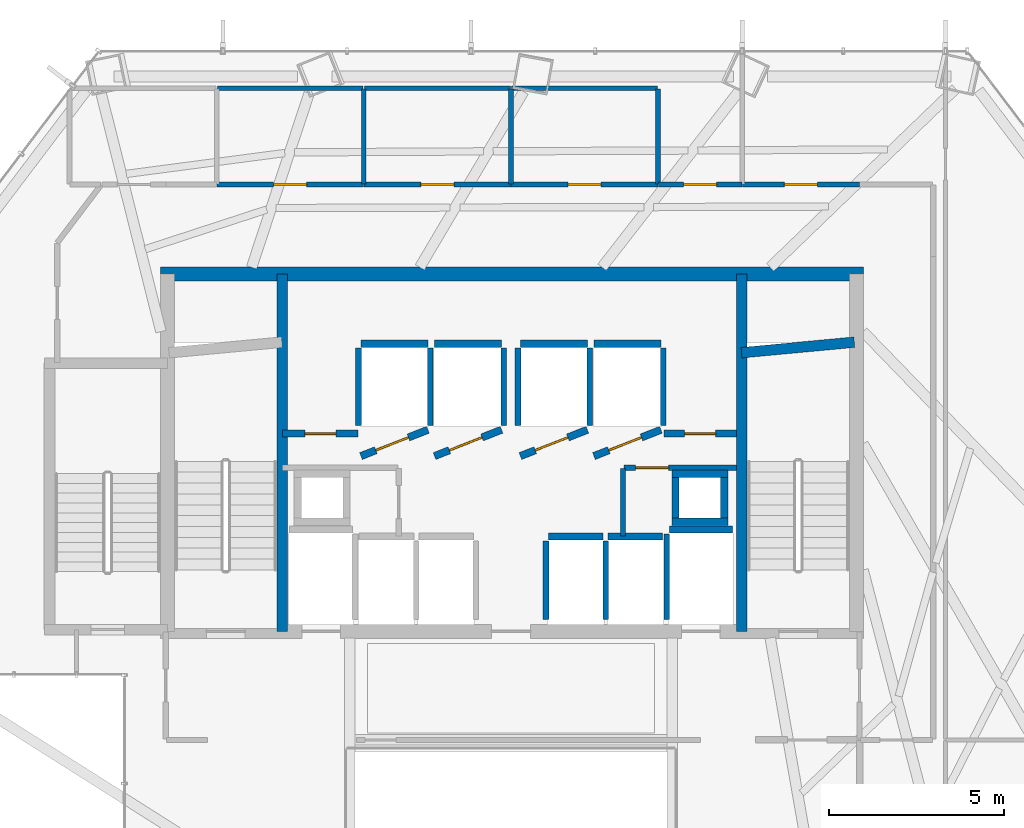
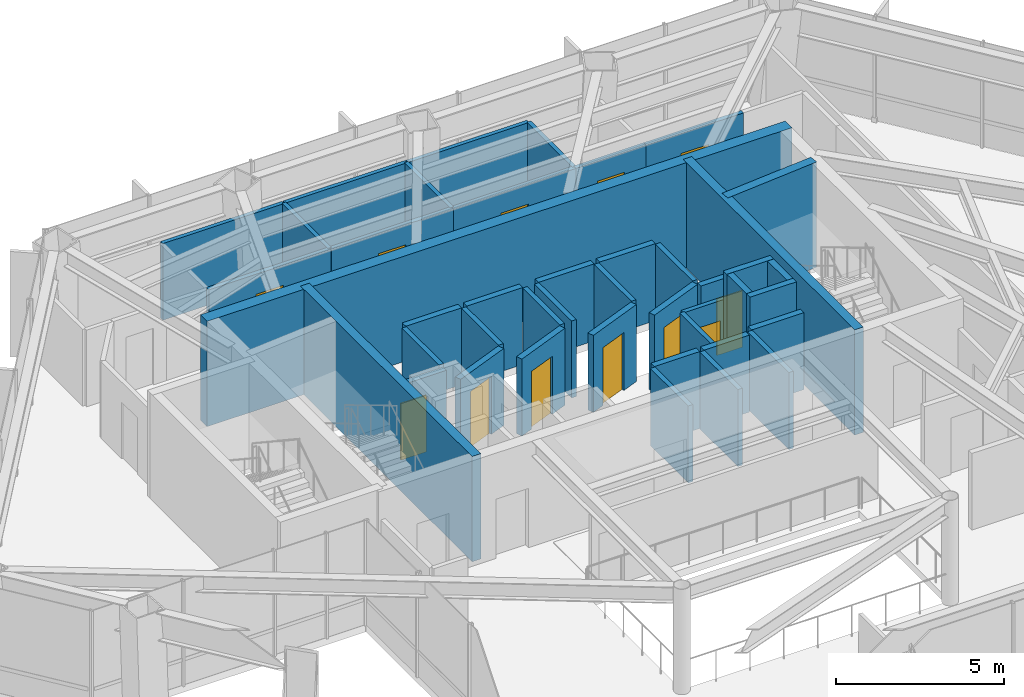
# One storey, part 22 of 24: 43 walls, 12 doors, 12 openings.
"""IFC4 building model written with IfcOpenShell, lengths in metres."""

from ifc_helpers import new_model, si_unit, direction, frame, frame_2d, origin, place, context, subcontext, project, spatial, rectangle, extrude, material, layer, layer_set, type_object, element, fill, save


model = new_model("IFC4")

# Units and contexts
model_context = context("Model", 3, precision=1e-05, world=origin(), true_north=direction((0.0, 1.0)))
body_context = subcontext(model_context, "Body", "Model", "MODEL_VIEW")
ifc_project = project(units=[si_unit("LENGTHUNIT", "METRE"), si_unit("AREAUNIT", "SQUARE_METRE"), si_unit("VOLUMEUNIT", "CUBIC_METRE"), si_unit("PLANEANGLEUNIT", "RADIAN"), si_unit("MASSUNIT", "GRAM", prefix="KILO")], contexts=[model_context])

# Site, building, storey
site_placement = place(None, origin())
site = spatial("IfcSite", under=ifc_project, at=site_placement, CompositionType="ELEMENT")
building_placement = place(site_placement, origin())
building = spatial("IfcBuilding", under=site, at=building_placement, Name="Zarrinselat Tower", CompositionType="ELEMENT")
storey_placement = place(building_placement, frame((0.0, 0.0, 68.340087890625)))
storey = spatial("IfcBuildingStorey", under=building, at=storey_placement, Name="L16", CompositionType="ELEMENT", Elevation=68.340087890625)

# Wall, opening, door
ifc_material_1 = material(Name="Fire-Rated Gypsum Board Partition", Category="gypsum")
ifc_layer_1 = layer(ifc_material_1, 0.14990234375)
ifc_layer_set_1 = layer_set([ifc_layer_1], Name="Fire-Rated Gypsum Board Partition")
wall_type_1 = type_object("IfcWallType", Name="WAL-PART-EI60", PredefinedType="PARTITIONING", material=ifc_layer_set_1)
wall_1_placement = place(storey_placement, frame((41.6201171875, 37.919921875, 0.0), z_axis=(0.0, 0.0, 1.0), x_axis=(1.0, 0.0, 0.0)))
wall_1 = element("IfcWall", 1, at=wall_1_placement, inside=storey, type_object=wall_type_1, Name="L16 Partition Wall 5", PredefinedType="PARTITIONING", context=body_context, shape_type="SweptSolid", body=[
    extrude(rectangle(XDim=3.21484375, YDim=0.14990234375, at=frame_2d((1.607421875, 0.0))), origin(), (0.0, 0.0, 1.0), 2.77685546875),
])
opening_1_placement = place(wall_1_placement, frame((0.33740234375, 0.0, 0.0)))
opening_1 = element("IfcOpeningElement", 2, at=opening_1_placement, cuts=wall_1, Name="Opening ID-04", PredefinedType="OPENING", context=body_context, shape_type="SweptSolid", body=[
    extrude(rectangle(XDim=0.93994140625, YDim=2.050048828125, at=frame_2d((0.469970703125, 1.02490234375))), frame((0.0, 0.0849609375, 0.0), z_axis=(0.0, -1.0, 0.0), x_axis=(1.0, 0.0, 0.0)), (0.0, 0.0, 1.0), 0.169921875),
])
ifc_material_2 = material(Name="Fire-Rated Gypsum Board Partition")
door_type_1 = type_object("IfcDoorType", Name="DR-INT-FD30-ENT", OperationType="NOTDEFINED", PredefinedType="DOOR", material=ifc_material_2)
door_1_placement = place(opening_1_placement, origin())
door_1 = element("IfcDoor", 3, at=door_1_placement, inside=storey, type_object=door_type_1, Name="L16 Interior Door P5", OperationType="SINGLE_SWING_RIGHT", OverallHeight=2.050048828125, OverallWidth=0.93994140625, PredefinedType="DOOR", context=body_context, shape_type="SweptSolid", body=[
    extrude(rectangle(XDim=0.93994140625, YDim=2.050048828125, at=frame_2d((0.469970703125, 1.02490234375))), frame((0.0, 0.02490234375, 0.0), z_axis=(0.0, -1.0, 0.0), x_axis=(1.0, 0.0, 0.0)), (0.0, 0.0, 1.0), 0.050048828125),
])
fill(opening_1, door_1)

# Wall
wall_2_placement = place(storey_placement, frame((41.60009765625, 35.969970703125, 0.0), z_axis=(0.0, 0.0, 1.0), x_axis=(0.0, 1.0, 0.0)))
element("IfcWall", 4, at=wall_2_placement, inside=storey, type_object=wall_type_1, Name="L16 Partition Wall 6", PredefinedType="PARTITIONING", context=body_context, shape_type="SweptSolid", body=[
    extrude(rectangle(XDim=1.929931640625, YDim=0.14990234375, at=frame_2d((0.96484375, 0.0))), origin(), (0.0, 0.0, 1.0), 2.77685546875),
])

# Wall, opening, door
wall_3_placement = place(storey_placement, frame((30.0048828125, 46.0, 0.0), z_axis=(0.0, 0.0, 1.0), x_axis=(1.0, 0.0, 0.0)))
wall_3 = element("IfcWall", 5, at=wall_3_placement, inside=storey, type_object=wall_type_1, Name="L16 Partition Wall 16", PredefinedType="PARTITIONING", context=body_context, shape_type="SweptSolid", body=[
    extrude(rectangle(XDim=4.190185546875, YDim=0.14990234375, at=frame_2d((2.09521484375, 0.0))), origin(), (0.0, 0.0, 1.0), 2.77685546875),
])
opening_2_placement = place(wall_3_placement, frame((1.625, 0.0, 0.0)))
opening_2 = element("IfcOpeningElement", 6, at=opening_2_placement, cuts=wall_3, Name="Opening ID-04", PredefinedType="OPENING", context=body_context, shape_type="SweptSolid", body=[
    extrude(rectangle(XDim=0.93994140625, YDim=2.050048828125, at=frame_2d((0.469970703125, 1.02490234375))), frame((0.0, 0.0849609375, 0.0), z_axis=(0.0, -1.0, 0.0), x_axis=(1.0, 0.0, 0.0)), (0.0, 0.0, 1.0), 0.169921875),
])
door_2_placement = place(opening_2_placement, origin())
door_2 = element("IfcDoor", 7, at=door_2_placement, inside=storey, type_object=door_type_1, Name="L16 Interior Door P16", OperationType="SINGLE_SWING_RIGHT", OverallHeight=2.050048828125, OverallWidth=0.93994140625, PredefinedType="DOOR", context=body_context, shape_type="SweptSolid", body=[
    extrude(rectangle(XDim=0.93994140625, YDim=2.050048828125, at=frame_2d((0.469970703125, 1.02490234375))), frame((0.0, 0.02490234375, 0.0), z_axis=(0.0, -1.0, 0.0), x_axis=(1.0, 0.0, 0.0)), (0.0, 0.0, 1.0), 0.050048828125),
])
fill(opening_2, door_2)

wall_4_placement = place(storey_placement, frame((34.205078125, 46.0, 0.0), z_axis=(0.0, 0.0, 1.0), x_axis=(1.0, 0.0, 0.0)))
wall_4 = element("IfcWall", 8, at=wall_4_placement, inside=storey, type_object=wall_type_1, Name="L16 Partition Wall 17", PredefinedType="PARTITIONING", context=body_context, shape_type="SweptSolid", body=[
    extrude(rectangle(XDim=4.18994140625, YDim=0.14990234375, at=frame_2d((2.094970703125, 0.0))), origin(), (0.0, 0.0, 1.0), 2.77685546875),
])
opening_3_placement = place(wall_4_placement, frame((1.625, 0.0, 0.0)))
opening_3 = element("IfcOpeningElement", 9, at=opening_3_placement, cuts=wall_4, Name="Opening ID-04", PredefinedType="OPENING", context=body_context, shape_type="SweptSolid", body=[
    extrude(rectangle(XDim=0.93994140625, YDim=2.050048828125, at=frame_2d((0.469970703125, 1.02490234375))), frame((0.0, 0.0849609375, 0.0), z_axis=(0.0, -1.0, 0.0), x_axis=(1.0, 0.0, 0.0)), (0.0, 0.0, 1.0), 0.169921875),
])
door_3_placement = place(opening_3_placement, origin())
door_3 = element("IfcDoor", 10, at=door_3_placement, inside=storey, type_object=door_type_1, Name="L16 Interior Door P17", OperationType="SINGLE_SWING_LEFT", OverallHeight=2.050048828125, OverallWidth=0.93994140625, PredefinedType="DOOR", context=body_context, shape_type="SweptSolid", body=[
    extrude(rectangle(XDim=0.93994140625, YDim=2.050048828125, at=frame_2d((0.469970703125, 1.02490234375))), frame((0.0, 0.02490234375, 0.0), z_axis=(0.0, -1.0, 0.0), x_axis=(1.0, 0.0, 0.0)), (0.0, 0.0, 1.0), 0.050048828125),
])
fill(opening_3, door_3)

wall_5_placement = place(storey_placement, frame((38.405029296875, 46.0, 0.0), z_axis=(0.0, 0.0, 1.0), x_axis=(1.0, 0.0, 0.0)))
wall_5 = element("IfcWall", 11, at=wall_5_placement, inside=storey, type_object=wall_type_1, Name="L16 Partition Wall 18", PredefinedType="PARTITIONING", context=body_context, shape_type="SweptSolid", body=[
    extrude(rectangle(XDim=4.18994140625, YDim=0.14990234375, at=frame_2d((2.094970703125, 0.0))), origin(), (0.0, 0.0, 1.0), 2.77685546875),
])
opening_4_placement = place(wall_5_placement, frame((1.625, 0.0, 0.0)))
opening_4 = element("IfcOpeningElement", 12, at=opening_4_placement, cuts=wall_5, Name="Opening ID-04", PredefinedType="OPENING", context=body_context, shape_type="SweptSolid", body=[
    extrude(rectangle(XDim=0.93994140625, YDim=2.050048828125, at=frame_2d((0.469970703125, 1.02490234375))), frame((0.0, 0.0849609375, 0.0), z_axis=(0.0, -1.0, 0.0), x_axis=(1.0, 0.0, 0.0)), (0.0, 0.0, 1.0), 0.169921875),
])
door_4_placement = place(opening_4_placement, origin())
door_4 = element("IfcDoor", 13, at=door_4_placement, inside=storey, type_object=door_type_1, Name="L16 Interior Door P18", OperationType="SINGLE_SWING_RIGHT", OverallHeight=2.050048828125, OverallWidth=0.93994140625, PredefinedType="DOOR", context=body_context, shape_type="SweptSolid", body=[
    extrude(rectangle(XDim=0.93994140625, YDim=2.050048828125, at=frame_2d((0.469970703125, 1.02490234375))), frame((0.0, 0.02490234375, 0.0), z_axis=(0.0, -1.0, 0.0), x_axis=(1.0, 0.0, 0.0)), (0.0, 0.0, 1.0), 0.050048828125),
])
fill(opening_4, door_4)

wall_6_placement = place(storey_placement, frame((45.0048828125, 46.0, 0.0), z_axis=(0.0, 0.0, 1.0), x_axis=(1.0, 0.0, 0.0)))
wall_6 = element("IfcWall", 14, at=wall_6_placement, inside=storey, type_object=wall_type_1, Name="L16 Partition Wall 22", PredefinedType="PARTITIONING", context=body_context, shape_type="SweptSolid", body=[
    extrude(rectangle(XDim=3.34521484375, YDim=0.14990234375, at=frame_2d((1.672607421875, 0.0))), origin(), (0.0, 0.0, 1.0), 2.77685546875),
])
opening_5_placement = place(wall_6_placement, frame((1.202392578125, 0.0, 0.0)))
opening_5 = element("IfcOpeningElement", 15, at=opening_5_placement, cuts=wall_6, Name="Opening ID-04", PredefinedType="OPENING", context=body_context, shape_type="SweptSolid", body=[
    extrude(rectangle(XDim=0.93994140625, YDim=2.050048828125, at=frame_2d((0.469970703125, 1.02490234375))), frame((0.0, 0.0849609375, 0.0), z_axis=(0.0, -1.0, 0.0), x_axis=(1.0, 0.0, 0.0)), (0.0, 0.0, 1.0), 0.169921875),
])
door_5_placement = place(opening_5_placement, origin())
door_5 = element("IfcDoor", 16, at=door_5_placement, inside=storey, type_object=door_type_1, Name="L16 Interior Door P22", OperationType="SINGLE_SWING_LEFT", OverallHeight=2.050048828125, OverallWidth=0.93994140625, PredefinedType="DOOR", context=body_context, shape_type="SweptSolid", body=[
    extrude(rectangle(XDim=0.93994140625, YDim=2.050048828125, at=frame_2d((0.469970703125, 1.02490234375))), frame((0.0, 0.02490234375, 0.0), z_axis=(0.0, -1.0, 0.0), x_axis=(1.0, 0.0, 0.0)), (0.0, 0.0, 1.0), 0.050048828125),
])
fill(opening_5, door_5)

wall_7_placement = place(storey_placement, frame((42.60498046875, 46.0, 0.0), z_axis=(0.0, 0.0, 1.0), x_axis=(1.0, 0.0, 0.0)))
wall_7 = element("IfcWall", 17, at=wall_7_placement, inside=storey, type_object=wall_type_1, Name="L16 Partition Wall 26", PredefinedType="PARTITIONING", context=body_context, shape_type="SweptSolid", body=[
    extrude(rectangle(XDim=2.39013671875, YDim=0.14990234375, at=frame_2d((1.195068359375, 0.0))), origin(), (0.0, 0.0, 1.0), 2.77685546875),
])
opening_6_placement = place(wall_7_placement, frame((0.72509765625, 0.0, 0.0)))
opening_6 = element("IfcOpeningElement", 18, at=opening_6_placement, cuts=wall_7, Name="Opening ID-04", PredefinedType="OPENING", context=body_context, shape_type="SweptSolid", body=[
    extrude(rectangle(XDim=0.93994140625, YDim=2.050048828125, at=frame_2d((0.469970703125, 1.02490234375))), frame((0.0, 0.0849609375, 0.0), z_axis=(0.0, -1.0, 0.0), x_axis=(1.0, 0.0, 0.0)), (0.0, 0.0, 1.0), 0.169921875),
])
door_6_placement = place(opening_6_placement, origin())
door_6 = element("IfcDoor", 19, at=door_6_placement, inside=storey, type_object=door_type_1, Name="L16 Interior Door P26", OperationType="SINGLE_SWING_RIGHT", OverallHeight=2.050048828125, OverallWidth=0.93994140625, PredefinedType="DOOR", context=body_context, shape_type="SweptSolid", body=[
    extrude(rectangle(XDim=0.93994140625, YDim=2.050048828125, at=frame_2d((0.469970703125, 1.02490234375))), frame((0.0, 0.02490234375, 0.0), z_axis=(0.0, -1.0, 0.0), x_axis=(1.0, 0.0, 0.0)), (0.0, 0.0, 1.0), 0.050048828125),
])
fill(opening_6, door_6)

ifc_material_3 = material(Name="Concrete C40/50", Category="concrete")
ifc_layer_2 = layer(ifc_material_3, 0.199951171875)
ifc_layer_set_2 = layer_set([ifc_layer_2], Name="Concrete C40/50")
wall_type_2 = type_object("IfcWallType", Name="WAL-PART-PLANT", PredefinedType="PARTITIONING", material=ifc_layer_set_2)
wall_8_placement = place(storey_placement, frame((31.885009765625, 38.889892578125, 0.0), z_axis=(0.0, 0.0, 1.0), x_axis=(1.0, 0.0, 0.0)))
wall_8 = element("IfcWall", 20, at=wall_8_placement, inside=storey, type_object=wall_type_2, Name="L16 Partition Wall 3", PredefinedType="PARTITIONING", context=body_context, shape_type="SweptSolid", body=[
    extrude(rectangle(XDim=2.14990234375, YDim=0.199951171875, at=frame_2d((1.074951171875, 0.0))), origin(), (0.0, 0.0, 1.0), 2.77685546875),
])
opening_7_placement = place(wall_8_placement, frame((0.635009765625, 0.0, 0.0)))
opening_7 = element("IfcOpeningElement", 21, at=opening_7_placement, cuts=wall_8, Name="Opening ID-03", PredefinedType="OPENING", context=body_context, shape_type="SweptSolid", body=[
    extrude(rectangle(XDim=0.8798828125, YDim=2.050048828125, at=frame_2d((0.43994140625, 1.02490234375))), frame((0.0, 0.10986328125, 0.0), z_axis=(0.0, -1.0, 0.0), x_axis=(1.0, 0.0, 0.0)), (0.0, 0.0, 1.0), 0.219970703125),
])
ifc_material_4 = material(Name="Steel S355J2", Category="steel")
door_type_2 = type_object("IfcDoorType", Name="DR-INT-FD60-S", OperationType="NOTDEFINED", PredefinedType="DOOR", material=ifc_material_4)
door_7_placement = place(opening_7_placement, origin())
door_7 = element("IfcDoor", 22, at=door_7_placement, inside=storey, type_object=door_type_2, Name="L16 Interior Door P3", OperationType="SINGLE_SWING_RIGHT", OverallHeight=2.050048828125, OverallWidth=0.8798828125, PredefinedType="DOOR", context=body_context, shape_type="SweptSolid", body=[
    extrude(rectangle(XDim=0.8798828125, YDim=2.050048828125, at=frame_2d((0.43994140625, 1.02490234375))), frame((0.0, 0.02490234375, 0.0), z_axis=(0.0, -1.0, 0.0), x_axis=(1.0, 0.0, 0.0)), (0.0, 0.0, 1.0), 0.050048828125),
])
fill(opening_7, door_7)

wall_9_placement = place(storey_placement, frame((42.764892578125, 38.889892578125, 0.0), z_axis=(0.0, 0.0, 1.0), x_axis=(1.0, 0.0, 0.0)))
wall_9 = element("IfcWall", 23, at=wall_9_placement, inside=storey, type_object=wall_type_2, Name="L16 Partition Wall 4", PredefinedType="PARTITIONING", context=body_context, shape_type="SweptSolid", body=[
    extrude(rectangle(XDim=2.070068359375, YDim=0.199951171875, at=frame_2d((1.03515625, 0.0))), origin(), (0.0, 0.0, 1.0), 2.77685546875),
])
opening_8_placement = place(wall_9_placement, frame((0.594970703125, 0.0, 0.0)))
opening_8 = element("IfcOpeningElement", 24, at=opening_8_placement, cuts=wall_9, Name="Opening ID-03", PredefinedType="OPENING", context=body_context, shape_type="SweptSolid", body=[
    extrude(rectangle(XDim=0.8798828125, YDim=2.050048828125, at=frame_2d((0.43994140625, 1.02490234375))), frame((0.0, 0.10986328125, 0.0), z_axis=(0.0, -1.0, 0.0), x_axis=(1.0, 0.0, 0.0)), (0.0, 0.0, 1.0), 0.219970703125),
])
door_8_placement = place(opening_8_placement, origin())
door_8 = element("IfcDoor", 25, at=door_8_placement, inside=storey, type_object=door_type_2, Name="L16 Interior Door P4", OperationType="SINGLE_SWING_LEFT", OverallHeight=2.050048828125, OverallWidth=0.8798828125, PredefinedType="DOOR", context=body_context, shape_type="SweptSolid", body=[
    extrude(rectangle(XDim=0.8798828125, YDim=2.050048828125, at=frame_2d((0.43994140625, 1.02490234375))), frame((0.0, 0.02490234375, 0.0), z_axis=(0.0, -1.0, 0.0), x_axis=(1.0, 0.0, 0.0)), (0.0, 0.0, 1.0), 0.050048828125),
])
fill(opening_8, door_8)

# Walls
ifc_material_5 = material(Name="Fire-Rated Gypsum Board Partition", Category="gypsum")
ifc_layer_3 = layer(ifc_material_5, 0.135009765625)
ifc_layer_set_3 = layer_set([ifc_layer_3], Name="Fire-Rated Gypsum Board Partition")
wall_type_3 = type_object("IfcWallType", Name="WAL-PART-WET", PredefinedType="PARTITIONING", material=ifc_layer_set_3)
wall_10_placement = place(storey_placement, frame((34.199951171875, 46.02001953125, 0.0), z_axis=(0.0, 0.0, 1.0), x_axis=(0.0, 1.0, 0.0)))
element("IfcWall", 26, at=wall_10_placement, inside=storey, type_object=wall_type_3, Name="L16 Partition Wall 31", PredefinedType="PARTITIONING", context=body_context, shape_type="SweptSolid", body=[
    extrude(rectangle(XDim=2.7099609375, YDim=0.135009765625, at=frame_2d((1.35498046875, 0.0))), origin(), (0.0, 0.0, 1.0), 2.77685546875),
])
wall_11_placement = place(storey_placement, frame((30.02001953125, 48.75, 0.0), z_axis=(0.0, 0.0, 1.0), x_axis=(1.0, 0.0, 0.0)))
element("IfcWall", 27, at=wall_11_placement, inside=storey, type_object=wall_type_3, Name="L16 Partition Wall 32", PredefinedType="PARTITIONING", context=body_context, shape_type="SweptSolid", body=[
    extrude(rectangle(XDim=4.159912109375, YDim=0.135009765625, at=frame_2d((2.080078125, 0.0))), origin(), (0.0, 0.0, 1.0), 2.77685546875),
])
wall_12_placement = place(storey_placement, frame((38.39990234375, 46.02001953125, 0.0), z_axis=(0.0, 0.0, 1.0), x_axis=(0.0, 1.0, 0.0)))
element("IfcWall", 28, at=wall_12_placement, inside=storey, type_object=wall_type_3, Name="L16 Partition Wall 33", PredefinedType="PARTITIONING", context=body_context, shape_type="SweptSolid", body=[
    extrude(rectangle(XDim=2.7099609375, YDim=0.135009765625, at=frame_2d((1.35498046875, 0.0))), origin(), (0.0, 0.0, 1.0), 2.77685546875),
])
wall_13_placement = place(storey_placement, frame((34.219970703125, 48.75, 0.0), z_axis=(0.0, 0.0, 1.0), x_axis=(1.0, 0.0, 0.0)))
element("IfcWall", 29, at=wall_13_placement, inside=storey, type_object=wall_type_3, Name="L16 Partition Wall 34", PredefinedType="PARTITIONING", context=body_context, shape_type="SweptSolid", body=[
    extrude(rectangle(XDim=4.159912109375, YDim=0.135009765625, at=frame_2d((2.080078125, 0.0))), origin(), (0.0, 0.0, 1.0), 2.77685546875),
])
wall_14_placement = place(storey_placement, frame((38.419921875, 48.75, 0.0), z_axis=(0.0, 0.0, 1.0), x_axis=(1.0, 0.0, 0.0)))
element("IfcWall", 30, at=wall_14_placement, inside=storey, type_object=wall_type_3, Name="L16 Partition Wall 35", PredefinedType="PARTITIONING", context=body_context, shape_type="SweptSolid", body=[
    extrude(rectangle(XDim=4.16015625, YDim=0.135009765625, at=frame_2d((2.080078125, 0.0))), origin(), (0.0, 0.0, 1.0), 2.77685546875),
])
wall_15_placement = place(storey_placement, frame((42.60009765625, 46.02001953125, 0.0), z_axis=(0.0, 0.0, 1.0), x_axis=(0.0, 1.0, 0.0)))
element("IfcWall", 31, at=wall_15_placement, inside=storey, type_object=wall_type_3, Name="L16 Partition Wall 36", PredefinedType="PARTITIONING", context=body_context, shape_type="SweptSolid", body=[
    extrude(rectangle(XDim=2.7099609375, YDim=0.135009765625, at=frame_2d((1.35498046875, 0.0))), origin(), (0.0, 0.0, 1.0), 2.77685546875),
])
ifc_material_6 = material(Name="Concrete C40/50", Category="concrete")
ifc_layer_4 = layer(ifc_material_6, 0.2099609375)
ifc_layer_set_4 = layer_set([ifc_layer_4], Name="Concrete C40/50")
wall_type_4 = type_object("IfcWallType", Name="WAL-SHAFT-210", PredefinedType="SOLIDWALL", material=ifc_layer_set_4)
wall_16_placement = place(storey_placement, frame((42.919921875, 36.155029296875, 0.0), z_axis=(0.0, 0.0, 1.0), x_axis=(1.0, 0.0, 0.0)))
element("IfcWall", 32, at=wall_16_placement, inside=storey, type_object=wall_type_4, Name="L16 Lift FFL2 North Shaft Wall", PredefinedType="SOLIDWALL", context=body_context, shape_type="SweptSolid", body=[
    extrude(rectangle(XDim=1.800048828125, YDim=0.2099609375, at=frame_2d((0.89990234375, 0.0))), origin(), (0.0, 0.0, 1.0), 2.7919921875),
])
wall_17_placement = place(storey_placement, frame((42.85009765625, 33.580078125, 0.0), z_axis=(0.0, 0.0, 1.0), x_axis=(0.0, 1.0, 0.0)))
element("IfcWall", 33, at=wall_17_placement, inside=storey, type_object=wall_type_4, Name="L16 Lift FFL2 W Shaft Wall", PredefinedType="SOLIDWALL", context=body_context, shape_type="SweptSolid", body=[
    extrude(rectangle(XDim=2.449951171875, YDim=0.159912109375, at=frame_2d((1.22509765625, 0.0))), origin(), (0.0, 0.0, 1.0), 2.7919921875),
])

# Wall, opening, door
wall_18_placement = place(storey_placement, frame((34.1201171875, 38.25, 0.0), z_axis=(0.0, 0.0, 1.0), x_axis=(0.930804993012, 0.36551616241, 0.0)))
wall_18 = element("IfcWall", 34, at=wall_18_placement, inside=storey, type_object=wall_type_4, Name="L16 Lift PL1 Front Shaft Wall", PredefinedType="SOLIDWALL", context=body_context, shape_type="SweptSolid", body=[
    extrude(rectangle(XDim=2.052001953125, YDim=0.2099609375, at=frame_2d((1.02587890625, 0.0))), origin(), (0.0, 0.0, 1.0), 2.7919921875),
])
opening_9_placement = place(wall_18_placement, frame((0.455078125, 0.0, 0.0)))
opening_9 = element("IfcOpeningElement", 35, at=opening_9_placement, cuts=wall_18, Name="Opening LD-PL1", PredefinedType="OPENING", context=body_context, shape_type="SweptSolid", body=[
    extrude(rectangle(XDim=1.0, YDim=2.10009765625, at=frame_2d((0.5, 1.050048828125))), frame((0.0, 0.114990234375, 0.0), z_axis=(0.0, -1.0, 0.0), x_axis=(1.0, 0.0, 0.0)), (0.0, 0.0, 1.0), 0.22998046875),
])
ifc_material_7 = material(Name="Steel S355J2", Category="steel")
door_type_3 = type_object("IfcDoorType", Name="DR-LIFT-PS-1000", OperationType="NOTDEFINED", PredefinedType="DOOR", material=ifc_material_7)
door_9_placement = place(opening_9_placement, origin())
door_9 = element("IfcDoor", 36, at=door_9_placement, inside=storey, type_object=door_type_3, Name="L16 Lift PL1 Sliding Landing Door", OperationType="SLIDING_TO_LEFT", OverallHeight=2.10009765625, OverallWidth=1.0, PredefinedType="DOOR", context=body_context, shape_type="SweptSolid", body=[
    extrude(rectangle(XDim=1.0, YDim=2.10009765625, at=frame_2d((0.5, 1.050048828125))), frame((0.0, 0.02490234375, 0.0), z_axis=(0.0, -1.0, 0.0), x_axis=(1.0, 0.0, 0.0)), (0.0, 0.0, 1.0), 0.050048828125),
])
fill(opening_9, door_9)

# Walls
wall_19_placement = place(storey_placement, frame((34.1201171875, 41.455078125, 0.0), z_axis=(0.0, 0.0, 1.0), x_axis=(1.0, 0.0, 0.0)))
element("IfcWall", 37, at=wall_19_placement, inside=storey, type_object=wall_type_4, Name="L16 Lift PL1 Rear Shaft Wall", PredefinedType="SOLIDWALL", context=body_context, shape_type="SweptSolid", body=[
    extrude(rectangle(XDim=1.909912109375, YDim=0.2099609375, at=frame_2d((0.955078125, 0.0))), origin(), (0.0, 0.0, 1.0), 2.7919921875),
])
for number, where, z_axis, x_axis, name in (
    (38, (34.050048828125, 39.1201171875, 0.0), (0.0, 0.0, 1.0), (0.0, 1.0, 0.0), "L16 Lift PL1 W Shaft Wall"),
    (39, (36.10009765625, 39.1201171875, 0.0), (0.0, 0.0, 1.0), (0.0, 1.0, 0.0), "L16 Lift PL1 E Shaft Wall"),
):
    element("IfcWall", number, at=place(storey_placement, frame(where, z_axis=z_axis, x_axis=x_axis)), inside=storey, type_object=wall_type_4, Name=name, PredefinedType="SOLIDWALL", context=body_context, shape_type="SweptSolid", body=[
        extrude(rectangle(XDim=2.2099609375, YDim=0.159912109375, at=frame_2d((1.10498046875, 0.0))), origin(), (0.0, 0.0, 1.0), 2.7919921875),
    ])

# Wall, opening, door
wall_20_placement = place(storey_placement, frame((36.219970703125, 38.25, 0.0), z_axis=(0.0, 0.0, 1.0), x_axis=(0.930804993012, 0.36551616241, 0.0)))
wall_20 = element("IfcWall", 40, at=wall_20_placement, inside=storey, type_object=wall_type_4, Name="L16 Lift PL2 Front Shaft Wall", PredefinedType="SOLIDWALL", context=body_context, shape_type="SweptSolid", body=[
    extrude(rectangle(XDim=2.052001953125, YDim=0.2099609375, at=frame_2d((1.02587890625, 0.0))), origin(), (0.0, 0.0, 1.0), 2.7919921875),
])
opening_10_placement = place(wall_20_placement, frame((0.455078125, 0.0, 0.0)))
opening_10 = element("IfcOpeningElement", 41, at=opening_10_placement, cuts=wall_20, Name="Opening LD-PL2", PredefinedType="OPENING", context=body_context, shape_type="SweptSolid", body=[
    extrude(rectangle(XDim=1.0, YDim=2.10009765625, at=frame_2d((0.5, 1.050048828125))), frame((0.0, 0.114990234375, 0.0), z_axis=(0.0, -1.0, 0.0), x_axis=(1.0, 0.0, 0.0)), (0.0, 0.0, 1.0), 0.22998046875),
])
door_10_placement = place(opening_10_placement, origin())
door_10 = element("IfcDoor", 42, at=door_10_placement, inside=storey, type_object=door_type_3, Name="L16 Lift PL2 Sliding Landing Door", OperationType="SLIDING_TO_RIGHT", OverallHeight=2.10009765625, OverallWidth=1.0, PredefinedType="DOOR", context=body_context, shape_type="SweptSolid", body=[
    extrude(rectangle(XDim=1.0, YDim=2.10009765625, at=frame_2d((0.5, 1.050048828125))), frame((0.0, 0.02490234375, 0.0), z_axis=(0.0, -1.0, 0.0), x_axis=(1.0, 0.0, 0.0)), (0.0, 0.0, 1.0), 0.050048828125),
])
fill(opening_10, door_10)

# Walls
wall_21_placement = place(storey_placement, frame((36.219970703125, 41.455078125, 0.0), z_axis=(0.0, 0.0, 1.0), x_axis=(1.0, 0.0, 0.0)))
element("IfcWall", 43, at=wall_21_placement, inside=storey, type_object=wall_type_4, Name="L16 Lift PL2 Rear Shaft Wall", PredefinedType="SOLIDWALL", context=body_context, shape_type="SweptSolid", body=[
    extrude(rectangle(XDim=1.909912109375, YDim=0.2099609375, at=frame_2d((0.955078125, 0.0))), origin(), (0.0, 0.0, 1.0), 2.7919921875),
])
wall_22_placement = place(storey_placement, frame((38.199951171875, 39.1201171875, 0.0), z_axis=(0.0, 0.0, 1.0), x_axis=(0.0, 1.0, 0.0)))
element("IfcWall", 44, at=wall_22_placement, inside=storey, type_object=wall_type_4, Name="L16 Lift PL2 E Shaft Wall", PredefinedType="SOLIDWALL", context=body_context, shape_type="SweptSolid", body=[
    extrude(rectangle(XDim=2.2099609375, YDim=0.159912109375, at=frame_2d((1.10498046875, 0.0))), origin(), (0.0, 0.0, 1.0), 2.7919921875),
])

# Wall, opening, door
wall_23_placement = place(storey_placement, frame((38.669921875, 38.25, 0.0), z_axis=(0.0, 0.0, 1.0), x_axis=(0.930820886763, 0.3654756856, 0.0)))
wall_23 = element("IfcWall", 45, at=wall_23_placement, inside=storey, type_object=wall_type_4, Name="L16 Lift PL3 Front Shaft Wall", PredefinedType="SOLIDWALL", context=body_context, shape_type="SweptSolid", body=[
    extrude(rectangle(XDim=2.052001953125, YDim=0.2099609375, at=frame_2d((1.02587890625, 0.0))), origin(), (0.0, 0.0, 1.0), 2.7919921875),
])
opening_11_placement = place(wall_23_placement, frame((0.455078125, 0.0, 0.0)))
opening_11 = element("IfcOpeningElement", 46, at=opening_11_placement, cuts=wall_23, Name="Opening LD-PL3", PredefinedType="OPENING", context=body_context, shape_type="SweptSolid", body=[
    extrude(rectangle(XDim=1.0, YDim=2.10009765625, at=frame_2d((0.5, 1.050048828125))), frame((0.0, 0.114990234375, 0.0), z_axis=(0.0, -1.0, 0.0), x_axis=(1.0, 0.0, 0.0)), (0.0, 0.0, 1.0), 0.22998046875),
])
door_11_placement = place(opening_11_placement, origin())
door_11 = element("IfcDoor", 47, at=door_11_placement, inside=storey, type_object=door_type_3, Name="L16 Lift PL3 Sliding Landing Door", OperationType="SLIDING_TO_LEFT", OverallHeight=2.10009765625, OverallWidth=1.0, PredefinedType="DOOR", context=body_context, shape_type="SweptSolid", body=[
    extrude(rectangle(XDim=1.0, YDim=2.10009765625, at=frame_2d((0.5, 1.050048828125))), frame((0.0, 0.02490234375, 0.0), z_axis=(0.0, -1.0, 0.0), x_axis=(1.0, 0.0, 0.0)), (0.0, 0.0, 1.0), 0.050048828125),
])
fill(opening_11, door_11)

# Walls
wall_24_placement = place(storey_placement, frame((38.669921875, 41.455078125, 0.0), z_axis=(0.0, 0.0, 1.0), x_axis=(1.0, 0.0, 0.0)))
element("IfcWall", 48, at=wall_24_placement, inside=storey, type_object=wall_type_4, Name="L16 Lift PL3 Rear Shaft Wall", PredefinedType="SOLIDWALL", context=body_context, shape_type="SweptSolid", body=[
    extrude(rectangle(XDim=1.91015625, YDim=0.2099609375, at=frame_2d((0.955078125, 0.0))), origin(), (0.0, 0.0, 1.0), 2.7919921875),
])
for number, where, z_axis, x_axis, name in (
    (49, (38.60009765625, 39.1201171875, 0.0), (0.0, 0.0, 1.0), (0.0, 1.0, 0.0), "L16 Lift PL3 W Shaft Wall"),
    (50, (40.64990234375, 39.1201171875, 0.0), (0.0, 0.0, 1.0), (0.0, 1.0, 0.0), "L16 Lift PL3 E Shaft Wall"),
):
    element("IfcWall", number, at=place(storey_placement, frame(where, z_axis=z_axis, x_axis=x_axis)), inside=storey, type_object=wall_type_4, Name=name, PredefinedType="SOLIDWALL", context=body_context, shape_type="SweptSolid", body=[
        extrude(rectangle(XDim=2.2099609375, YDim=0.159912109375, at=frame_2d((1.10498046875, 0.0))), origin(), (0.0, 0.0, 1.0), 2.7919921875),
    ])

# Wall, opening, door
wall_25_placement = place(storey_placement, frame((40.77001953125, 38.25, 0.0), z_axis=(0.0, 0.0, 1.0), x_axis=(0.930804993012, 0.36551616241, 0.0)))
wall_25 = element("IfcWall", 51, at=wall_25_placement, inside=storey, type_object=wall_type_4, Name="L16 Lift PL4 Front Shaft Wall", PredefinedType="SOLIDWALL", context=body_context, shape_type="SweptSolid", body=[
    extrude(rectangle(XDim=2.052001953125, YDim=0.2099609375, at=frame_2d((1.02587890625, 0.0))), origin(), (0.0, 0.0, 1.0), 2.7919921875),
])
opening_12_placement = place(wall_25_placement, frame((0.455078125, 0.0, 0.0)))
opening_12 = element("IfcOpeningElement", 52, at=opening_12_placement, cuts=wall_25, Name="Opening LD-PL4", PredefinedType="OPENING", context=body_context, shape_type="SweptSolid", body=[
    extrude(rectangle(XDim=1.0, YDim=2.10009765625, at=frame_2d((0.5, 1.050048828125))), frame((0.0, 0.114990234375, 0.0), z_axis=(0.0, -1.0, 0.0), x_axis=(1.0, 0.0, 0.0)), (0.0, 0.0, 1.0), 0.22998046875),
])
door_12_placement = place(opening_12_placement, origin())
door_12 = element("IfcDoor", 53, at=door_12_placement, inside=storey, type_object=door_type_3, Name="L16 Lift PL4 Sliding Landing Door", OperationType="SLIDING_TO_RIGHT", OverallHeight=2.10009765625, OverallWidth=1.0, PredefinedType="DOOR", context=body_context, shape_type="SweptSolid", body=[
    extrude(rectangle(XDim=1.0, YDim=2.10009765625, at=frame_2d((0.5, 1.050048828125))), frame((0.0, 0.02490234375, 0.0), z_axis=(0.0, -1.0, 0.0), x_axis=(1.0, 0.0, 0.0)), (0.0, 0.0, 1.0), 0.050048828125),
])
fill(opening_12, door_12)

# Walls
wall_26_placement = place(storey_placement, frame((40.77001953125, 41.455078125, 0.0), z_axis=(0.0, 0.0, 1.0), x_axis=(1.0, 0.0, 0.0)))
element("IfcWall", 54, at=wall_26_placement, inside=storey, type_object=wall_type_4, Name="L16 Lift PL4 Rear Shaft Wall", PredefinedType="SOLIDWALL", context=body_context, shape_type="SweptSolid", body=[
    extrude(rectangle(XDim=1.909912109375, YDim=0.2099609375, at=frame_2d((0.955078125, 0.0))), origin(), (0.0, 0.0, 1.0), 2.7919921875),
])
wall_27_placement = place(storey_placement, frame((42.75, 39.1201171875, 0.0), z_axis=(0.0, 0.0, 1.0), x_axis=(0.0, 1.0, 0.0)))
element("IfcWall", 55, at=wall_27_placement, inside=storey, type_object=wall_type_4, Name="L16 Lift PL4 E Shaft Wall", PredefinedType="SOLIDWALL", context=body_context, shape_type="SweptSolid", body=[
    extrude(rectangle(XDim=2.2099609375, YDim=0.159912109375, at=frame_2d((1.10498046875, 0.0))), origin(), (0.0, 0.0, 1.0), 2.7919921875),
])
wall_28_placement = place(storey_placement, frame((39.469970703125, 35.955078125, 0.0), z_axis=(0.0, 0.0, 1.0), x_axis=(1.0, 0.0, 0.0)))
element("IfcWall", 56, at=wall_28_placement, inside=storey, type_object=wall_type_4, Name="L16 Lift PL8 North Shaft Wall", PredefinedType="SOLIDWALL", context=body_context, shape_type="SweptSolid", body=[
    extrude(rectangle(XDim=1.56005859375, YDim=0.2099609375, at=frame_2d((0.780029296875, 0.0))), origin(), (0.0, 0.0, 1.0), 2.7919921875),
])
for number, where, z_axis, x_axis, name in (
    (57, (39.39990234375, 33.580078125, 0.0), (0.0, 0.0, 1.0), (0.0, 1.0, 0.0), "L16 Lift PL8 W Shaft Wall"),
    (58, (41.10009765625, 33.580078125, 0.0), (0.0, 0.0, 1.0), (0.0, 1.0, 0.0), "L16 Lift PL8 E Shaft Wall"),
):
    element("IfcWall", number, at=place(storey_placement, frame(where, z_axis=z_axis, x_axis=x_axis)), inside=storey, type_object=wall_type_4, Name=name, PredefinedType="SOLIDWALL", context=body_context, shape_type="SweptSolid", body=[
        extrude(rectangle(XDim=2.25, YDim=0.159912109375, at=frame_2d((1.125, 0.0))), origin(), (0.0, 0.0, 1.0), 2.7919921875),
    ])
wall_29_placement = place(storey_placement, frame((41.169921875, 35.955078125, 0.0), z_axis=(0.0, 0.0, 1.0), x_axis=(1.0, 0.0, 0.0)))
element("IfcWall", 59, at=wall_29_placement, inside=storey, type_object=wall_type_4, Name="L16 Lift PL9 North Shaft Wall", PredefinedType="SOLIDWALL", context=body_context, shape_type="SweptSolid", body=[
    extrude(rectangle(XDim=1.56005859375, YDim=0.2099609375, at=frame_2d((0.780029296875, 0.0))), origin(), (0.0, 0.0, 1.0), 2.7919921875),
])
for number, where, z_axis, x_axis, name in (
    (60, (42.989990234375, 36.375, 0.0), (0.0, 0.0, 1.0), (1.0, 0.0, 0.0), "L16 Core Riser RSR-E S Shaft Wall"),
    (61, (42.989990234375, 37.7451171875, 0.0), (0.0, 0.0, 1.0), (1.0, 0.0, 0.0), "L16 Core Riser RSR-E N Shaft Wall"),
):
    element("IfcWall", number, at=place(storey_placement, frame(where, z_axis=z_axis, x_axis=x_axis)), inside=storey, type_object=wall_type_4, Name=name, PredefinedType="SOLIDWALL", context=body_context, shape_type="SweptSolid", body=[
        extrude(rectangle(XDim=1.60009765625, YDim=0.2099609375, at=frame_2d((0.800048828125, 0.0))), origin(), (0.0, 0.0, 1.0), 3.81982421875),
    ])
for number, where, z_axis, x_axis, name in (
    (62, (43.094970703125, 36.485107421875, 0.0), (0.0, 0.0, 1.0), (0.0, 1.0, 0.0), "L16 Core Riser RSR-E W Shaft Wall"),
    (63, (44.485107421875, 36.485107421875, 0.0), (0.0, 0.0, 1.0), (0.0, 1.0, 0.0), "L16 Core Riser RSR-E E Shaft Wall"),
):
    element("IfcWall", number, at=place(storey_placement, frame(where, z_axis=z_axis, x_axis=x_axis)), inside=storey, type_object=wall_type_4, Name=name, PredefinedType="SOLIDWALL", context=body_context, shape_type="SweptSolid", body=[
        extrude(rectangle(XDim=1.14990234375, YDim=0.2099609375, at=frame_2d((0.574951171875, 0.0))), origin(), (0.0, 0.0, 1.0), 3.81982421875),
    ])
ifc_material_8 = material(Name="Concrete C40/50", Category="concrete")
ifc_layer_5 = layer(ifc_material_8, 0.300048828125)
ifc_layer_set_5 = layer_set([ifc_layer_5], Name="Concrete C40/50")
wall_type_5 = type_object("IfcWallType", Name="WAL-SHEAR-300", PredefinedType="SHEAR", material=ifc_layer_set_5)
for number, where, z_axis, x_axis, name in (
    (64, (31.8701171875, 33.25, 0.0), (0.0, 0.0, 1.0), (0.0, 1.0, 0.0), "L16 Core Shear Wall ST1E"),
    (65, (44.989990234375, 33.25, 0.0), (0.0, 0.0, 1.0), (0.0, 1.0, 0.0), "L16 Core Shear Wall ST2W"),
):
    element("IfcWall", number, at=place(storey_placement, frame(where, z_axis=z_axis, x_axis=x_axis)), inside=storey, type_object=wall_type_5, Name=name, PredefinedType="SHEAR", context=body_context, shape_type="SweptSolid", body=[
        extrude(rectangle(XDim=10.199951171875, YDim=0.300048828125, at=frame_2d((5.10009765625, 0.0))), origin(), (0.0, 0.0, 1.0), 3.81982421875),
    ])
wall_30_placement = place(storey_placement, frame((44.97998046875, 41.199951171875, 0.0), z_axis=(0.0, 0.0, 1.0), x_axis=(0.995686468965, 0.09278176286, 0.0)))
element("IfcWall", 66, at=wall_30_placement, inside=storey, type_object=wall_type_5, Name="L16 Stair 2 North Shaft Wall", PredefinedType="SHEAR", context=body_context, shape_type="SweptSolid", body=[
    extrude(rectangle(XDim=3.23388671875, YDim=0.300048828125, at=frame_2d((1.616943359375, 0.0))), origin(), (0.0, 0.0, 1.0), 3.81982421875),
])
ifc_material_9 = material(Name="Concrete C60/75", Category="concrete")
ifc_layer_6 = layer(ifc_material_9, 0.39990234375)
ifc_layer_set_6 = layer_set([ifc_layer_6], Name="Concrete C60/75")
wall_type_6 = type_object("IfcWallType", Name="WAL-SHEAR-400", PredefinedType="SHEAR", material=ifc_layer_set_6)
wall_31_placement = place(storey_placement, frame((28.39990234375, 43.449951171875, 0.0), z_axis=(0.0, 0.0, 1.0), x_axis=(1.0, 0.0, 0.0)))
element("IfcWall", 67, at=wall_31_placement, inside=storey, type_object=wall_type_6, Name="L16 North Core Shear Wall", PredefinedType="SHEAR", context=body_context, shape_type="SweptSolid", body=[
    extrude(rectangle(XDim=20.06005859375, YDim=0.39990234375, at=frame_2d((10.030029296875, 0.0))), origin(), (0.0, 0.0, 1.0), 3.81982421875),
])

save(model, "model.ifc")
